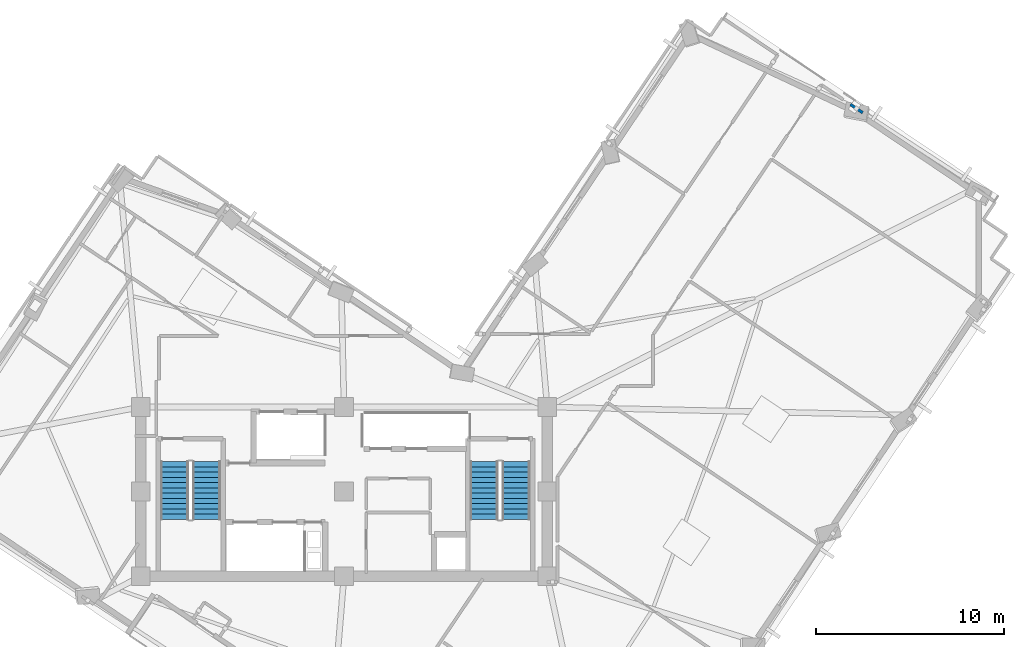
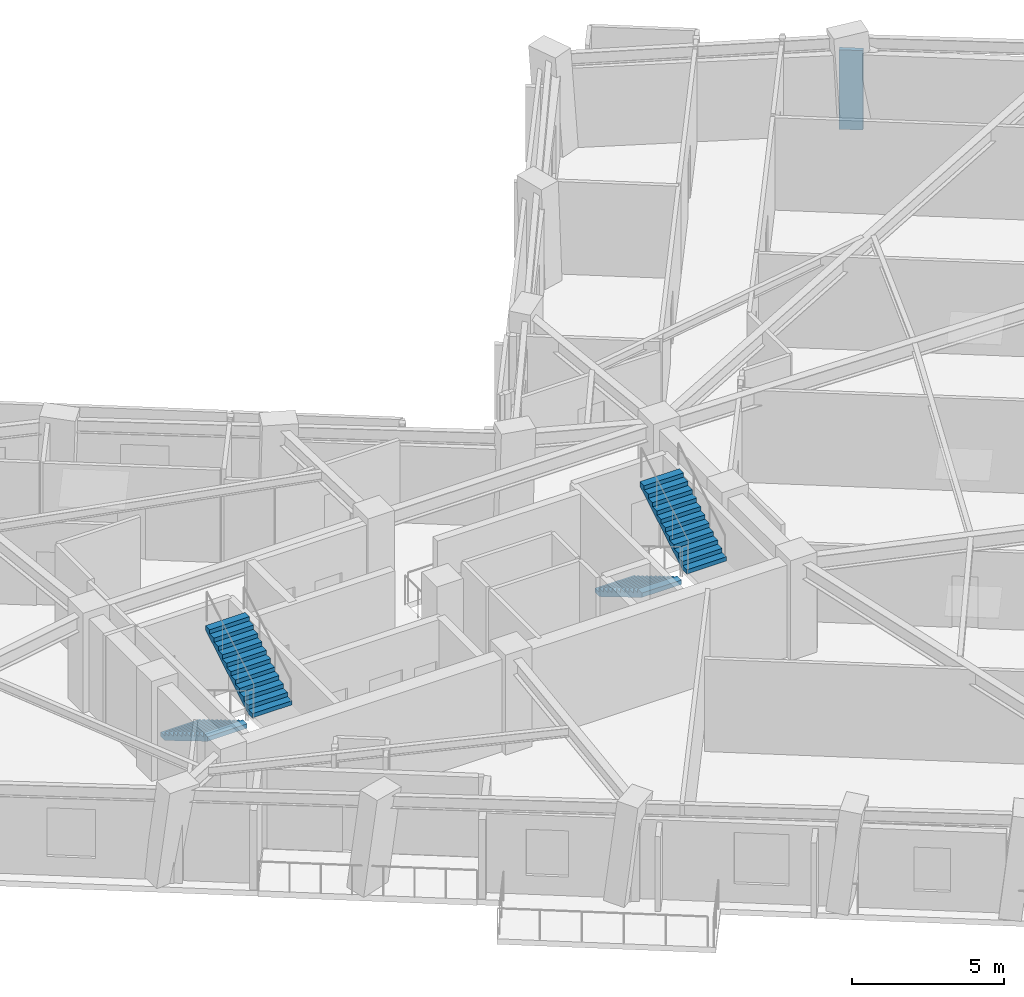
# One storey, part 9 of 14: 4 stair flights, 1 wall, 2 elements without a shape of their own.
"""IFC4 building model written with IfcOpenShell, lengths in metres."""

from ifc_helpers import new_model, si_unit, direction, frame, frame_2d, origin, place, context, subcontext, project, spatial, polyline, rectangle, outline, extrude, material, layer, layer_set, type_object, element, aggregate, save


model = new_model("IFC4")

# Units and contexts
model_context = context("Model", 3, precision=1e-05, world=origin(), true_north=direction((0.0, 1.0)))
body_context = subcontext(model_context, "Body", "Model", "MODEL_VIEW")
ifc_project = project(units=[si_unit("LENGTHUNIT", "METRE"), si_unit("AREAUNIT", "SQUARE_METRE"), si_unit("VOLUMEUNIT", "CUBIC_METRE"), si_unit("PLANEANGLEUNIT", "RADIAN"), si_unit("MASSUNIT", "GRAM", prefix="KILO")], contexts=[model_context])

# Site, building, storey
site_placement = place(None, origin())
site = spatial("IfcSite", under=ifc_project, at=site_placement, CompositionType="ELEMENT")
building_placement = place(site_placement, origin())
building = spatial("IfcBuilding", under=site, at=building_placement, Name="Gaonmaruhae Medical Tower", CompositionType="ELEMENT")
storey_placement = place(building_placement, frame((0.0, 0.0, 263.199951171875)))
storey = spatial("IfcBuildingStorey", under=building, at=storey_placement, Name="L63", CompositionType="ELEMENT", Elevation=263.199951171875)

# Wall
ifc_material_1 = material(Name="Gypsum board partition", Category="gypsum")
ifc_layer = layer(ifc_material_1, 0.14990234375)
ifc_layer_set = layer_set([ifc_layer], Name="Gypsum board partition")
wall_type = type_object("IfcWallType", Name="PW-150 Rated Clinical Corridor Partition", PredefinedType="PARTITIONING", material=ifc_layer_set)
wall_placement = place(storey_placement, frame((51.714111328125, 32.882080078125, 0.0), z_axis=(0.0, 0.0, 1.0), x_axis=(0.829460426103, -0.558565485443, 0.0)))
element("IfcWall", 1, at=wall_placement, inside=storey, type_object=wall_type, Name="L63 Interior Partition L63-SUP06-34", PredefinedType="PARTITIONING", context=body_context, shape_type="SweptSolid", body=[
    extrude(rectangle(XDim=0.785888671875, YDim=0.14990234375, at=frame_2d((0.39306640625, 0.0))), origin(), (0.0, 0.0, 1.0), 3.18505859375),
])

# Stair, stair flights
ifc_material_2 = material(Name="Concrete C40/50", Category="concrete")
stair_type = type_object("IfcStairType", Name="ST-T1 Primary Core Escape Dogleg Stair", PredefinedType="TWO_QUARTER_TURN_STAIR", material=ifc_material_2)
stair_1_placement = place(storey_placement, origin())
stair_1 = element("IfcStair", 2, at=stair_1_placement, inside=storey, type_object=stair_type, Name="L63 Protected Escape Stair ST-01", PredefinedType="TWO_QUARTER_TURN_STAIR")
stair_flight_type = type_object("IfcStairFlightType", Name="SF-T1 Primary Core Precast Stair Flight", PredefinedType="STRAIGHT", material=ifc_material_2)
stair_flight_1_placement = place(storey_placement, frame((15.800048828125, 13.89990234375, 0.0), z_axis=(0.0, 0.0, 1.0), x_axis=(0.0, -1.0, 0.0)))
stair_flight_1 = element("IfcStairFlight", 3, at=stair_flight_1_placement, type_object=stair_flight_type, Name="ST-01 flight 1", NumberOfRisers=12, NumberOfTreads=11, PredefinedType="STRAIGHT", RiserHeight=0.166666667, TreadLength=0.28, context=body_context, shape_type="SweptSolid", body=[
    extrude(outline(polyline([(0.0, 0.0), (0.0, 0.166748046875), (0.280029296875, 0.166748046875), (0.280029296875, 0.333251953125), (0.56005859375, 0.333251953125), (0.56005859375, 0.5), (0.840087890625, 0.5), (0.840087890625, 0.666748046875), (1.1201171875, 0.666748046875), (1.1201171875, 0.833251953125), (1.39990234375, 0.833251953125), (1.39990234375, 1.0), (1.679931640625, 1.0), (1.679931640625, 1.166748046875), (1.9599609375, 1.166748046875), (1.9599609375, 1.333251953125), (2.239990234375, 1.333251953125), (2.239990234375, 1.5), (2.52001953125, 1.5), (2.52001953125, 1.666748046875), (2.800048828125, 1.666748046875), (2.800048828125, 1.833251953125), (3.080078125, 1.833251953125), (3.080078125, 2.0), (3.080078125, 1.658935546875), (0.29296875, 0.0), (0.0, 0.0)])), frame((0.0, 0.75, 0.0), z_axis=(0.0, -1.0, 0.0), x_axis=(1.0, 0.0, 0.0)), (0.0, 0.0, 1.0), 1.5),
])
stair_flight_2_placement = place(storey_placement, frame((17.5, 10.820068359375, 2.0), z_axis=(0.0, 0.0, 1.0), x_axis=(0.0, 1.0, 0.0)))
stair_flight_2 = element("IfcStairFlight", 4, at=stair_flight_2_placement, type_object=stair_flight_type, Name="ST-01 flight 2", NumberOfRisers=12, NumberOfTreads=11, PredefinedType="STRAIGHT", RiserHeight=0.166666667, TreadLength=0.28, context=body_context, shape_type="SweptSolid", body=[
    extrude(outline(polyline([(0.0, 0.0), (0.0, 0.166748046875), (0.280029296875, 0.166748046875), (0.280029296875, 0.333251953125), (0.56005859375, 0.333251953125), (0.56005859375, 0.5), (0.840087890625, 0.5), (0.840087890625, 0.666748046875), (1.1201171875, 0.666748046875), (1.1201171875, 0.833251953125), (1.39990234375, 0.833251953125), (1.39990234375, 1.0), (1.679931640625, 1.0), (1.679931640625, 1.166748046875), (1.9599609375, 1.166748046875), (1.9599609375, 1.333251953125), (2.239990234375, 1.333251953125), (2.239990234375, 1.5), (2.52001953125, 1.5), (2.52001953125, 1.666748046875), (2.800048828125, 1.666748046875), (2.800048828125, 1.833251953125), (3.080078125, 1.833251953125), (3.080078125, 2.0), (3.080078125, 1.658935546875), (0.29296875, 0.0), (0.0, 0.0)])), frame((0.0, 0.75, 0.0), z_axis=(0.0, -1.0, 0.0), x_axis=(1.0, 0.0, 0.0)), (0.0, 0.0, 1.0), 1.5),
])
aggregate(stair_1, [stair_flight_1, stair_flight_2])

stair_2_placement = place(storey_placement, origin())
stair_2 = element("IfcStair", 5, at=stair_2_placement, inside=storey, type_object=stair_type, Name="L63 Protected Escape Stair ST-02", PredefinedType="TWO_QUARTER_TURN_STAIR")
stair_flight_3_placement = place(storey_placement, frame((32.25, 13.89990234375, 0.0), z_axis=(0.0, 0.0, 1.0), x_axis=(0.0, -1.0, 0.0)))
stair_flight_3 = element("IfcStairFlight", 6, at=stair_flight_3_placement, type_object=stair_flight_type, Name="ST-02 flight 1", NumberOfRisers=12, NumberOfTreads=11, PredefinedType="STRAIGHT", RiserHeight=0.166666667, TreadLength=0.28, context=body_context, shape_type="SweptSolid", body=[
    extrude(outline(polyline([(0.0, 0.0), (0.0, 0.166748046875), (0.280029296875, 0.166748046875), (0.280029296875, 0.333251953125), (0.56005859375, 0.333251953125), (0.56005859375, 0.5), (0.840087890625, 0.5), (0.840087890625, 0.666748046875), (1.1201171875, 0.666748046875), (1.1201171875, 0.833251953125), (1.39990234375, 0.833251953125), (1.39990234375, 1.0), (1.679931640625, 1.0), (1.679931640625, 1.166748046875), (1.9599609375, 1.166748046875), (1.9599609375, 1.333251953125), (2.239990234375, 1.333251953125), (2.239990234375, 1.5), (2.52001953125, 1.5), (2.52001953125, 1.666748046875), (2.800048828125, 1.666748046875), (2.800048828125, 1.833251953125), (3.080078125, 1.833251953125), (3.080078125, 2.0), (3.080078125, 1.658935546875), (0.29296875, 0.0), (0.0, 0.0)])), frame((0.0, 0.75, 0.0), z_axis=(0.0, -1.0, 0.0), x_axis=(1.0, 0.0, 0.0)), (0.0, 0.0, 1.0), 1.5),
])
stair_flight_4_placement = place(storey_placement, frame((33.949951171875, 10.820068359375, 2.0), z_axis=(0.0, 0.0, 1.0), x_axis=(0.0, 1.0, 0.0)))
stair_flight_4 = element("IfcStairFlight", 7, at=stair_flight_4_placement, type_object=stair_flight_type, Name="ST-02 flight 2", NumberOfRisers=12, NumberOfTreads=11, PredefinedType="STRAIGHT", RiserHeight=0.166666667, TreadLength=0.28, context=body_context, shape_type="SweptSolid", body=[
    extrude(outline(polyline([(0.0, 0.0), (0.0, 0.166748046875), (0.280029296875, 0.166748046875), (0.280029296875, 0.333251953125), (0.56005859375, 0.333251953125), (0.56005859375, 0.5), (0.840087890625, 0.5), (0.840087890625, 0.666748046875), (1.1201171875, 0.666748046875), (1.1201171875, 0.833251953125), (1.39990234375, 0.833251953125), (1.39990234375, 1.0), (1.679931640625, 1.0), (1.679931640625, 1.166748046875), (1.9599609375, 1.166748046875), (1.9599609375, 1.333251953125), (2.239990234375, 1.333251953125), (2.239990234375, 1.5), (2.52001953125, 1.5), (2.52001953125, 1.666748046875), (2.800048828125, 1.666748046875), (2.800048828125, 1.833251953125), (3.080078125, 1.833251953125), (3.080078125, 2.0), (3.080078125, 1.658935546875), (0.29296875, 0.0), (0.0, 0.0)])), frame((0.0, 0.75, 0.0), z_axis=(0.0, -1.0, 0.0), x_axis=(1.0, 0.0, 0.0)), (0.0, 0.0, 1.0), 1.5),
])
aggregate(stair_2, [stair_flight_3, stair_flight_4])

save(model, "model.ifc")
